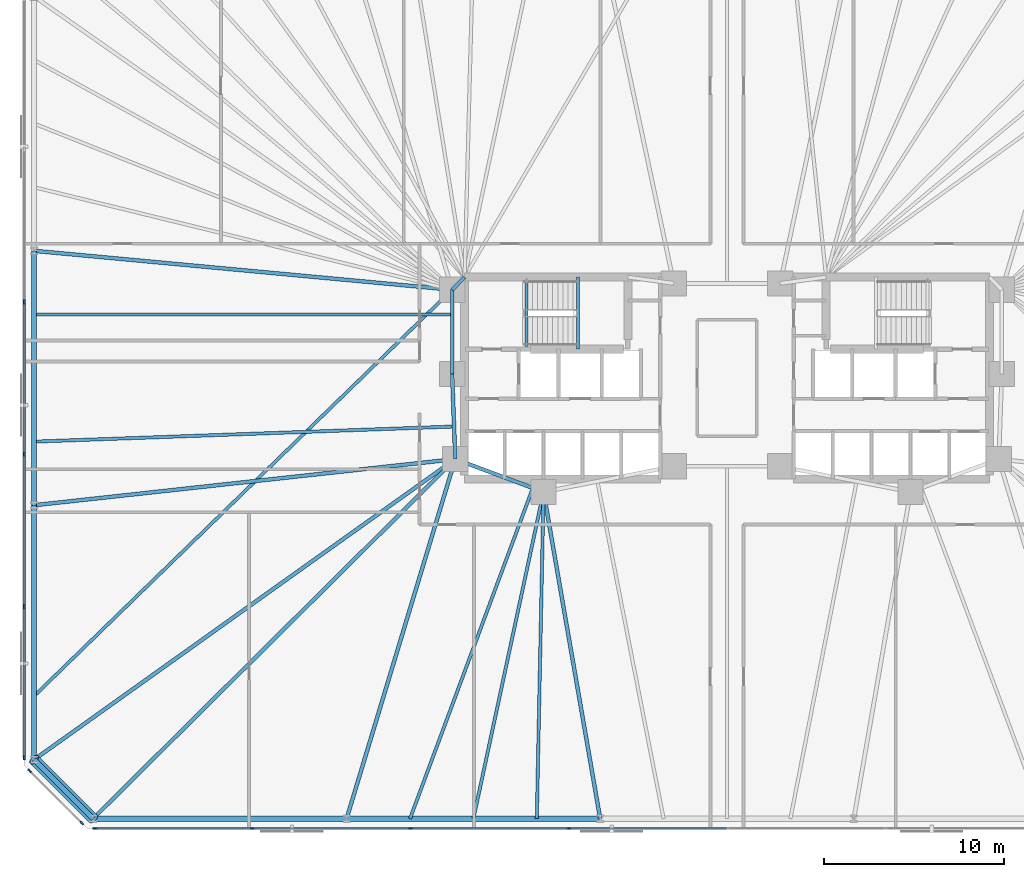
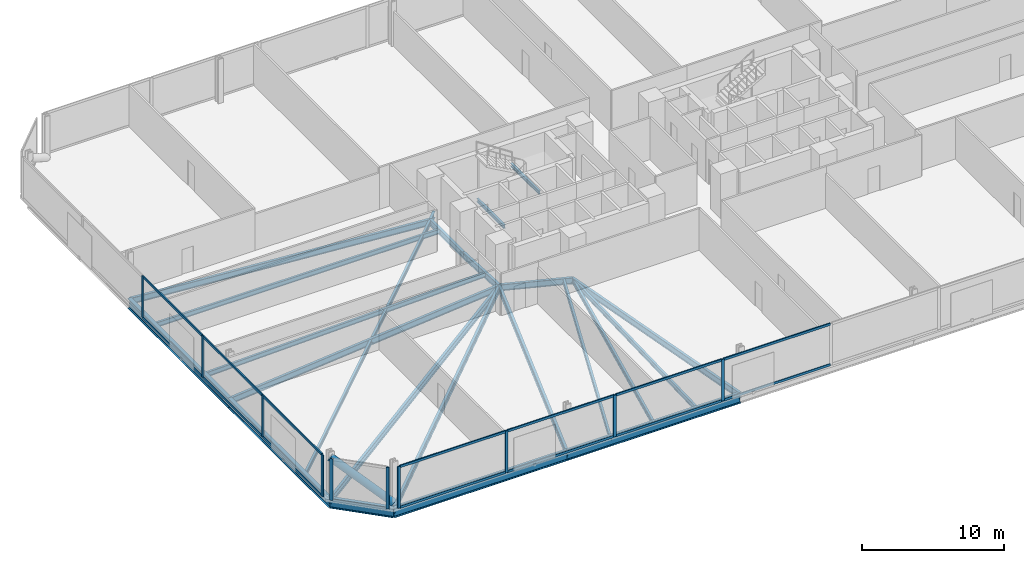
# One storey, part 6 of 17: 25 members, 23 beams, 3 elements without a shape of their own.
"""IFC4 building model written with IfcOpenShell, lengths in metres."""

from ifc_helpers import new_model, si_unit, direction, frame, origin, origin_2d, place, context, subcontext, project, spatial, rectangle, hollow_circle, i_section, extrude, material, material_profile, profile_set, type_object, element, aggregate, save


model = new_model("IFC4")

# Units and contexts
model_context = context("Model", 3, precision=1e-05, world=origin(), true_north=direction((0.0, 1.0)))
body_context = subcontext(model_context, "Body", "Model", "MODEL_VIEW")
ifc_project = project(units=[si_unit("LENGTHUNIT", "METRE"), si_unit("AREAUNIT", "SQUARE_METRE"), si_unit("VOLUMEUNIT", "CUBIC_METRE"), si_unit("PLANEANGLEUNIT", "RADIAN"), si_unit("MASSUNIT", "GRAM", prefix="KILO")], contexts=[model_context])

# Site, building, storey
site_placement = place(None, origin())
site = spatial("IfcSite", under=ifc_project, at=site_placement, CompositionType="ELEMENT")
building_placement = place(site_placement, origin())
building = spatial("IfcBuilding", under=site, at=building_placement, Name="Menara Jurai Vektor", CompositionType="ELEMENT")
storey_placement = place(building_placement, frame((0.0, 0.0, 25.60009765625)))
storey = spatial("IfcBuildingStorey", under=building, at=storey_placement, Name="L05", CompositionType="ELEMENT", Elevation=25.60009765625)

# Curtain wall, members
ifc_material_1 = material(Name="Anodised Pale Aluminium & Low-E Double Glazing", Category="aluminium")
curtain_wall_type = type_object("IfcCurtainWallType", Name="CW-BLK1", PredefinedType="NOTDEFINED", material=ifc_material_1)
curtain_wall_1_placement = place(storey_placement, origin())
curtain_wall_1 = element("IfcCurtainWall", 1, at=curtain_wall_1_placement, inside=storey, type_object=curtain_wall_type, Name="Unitised Curtain Wall L05 F01", PredefinedType="NOTDEFINED")
ifc_material_2 = material(Name="Anodised Pale Aluminium Mullion", Category="aluminium")
ifc_material_profile_1 = material_profile(ifc_material_2, rectangle(XDim=0.094970703125, YDim=0.239990234375, at=origin_2d()), Name="ALU MUL 95x240")
ifc_profile_set_1 = profile_set([ifc_material_profile_1], Name="Anodised Pale Aluminium Mullion")
member_type_1 = type_object("IfcMemberType", Name="CW-BLK1-MUL", PredefinedType="MULLION", material=ifc_profile_set_1)
member_1_placement = place(storey_placement, frame((-35.072509765625, -25.0, 0.0), z_axis=(0.0, 0.0, 1.0), x_axis=(0.0, 1.0, 0.0)))
member_1 = element("IfcMember", 2, at=member_1_placement, type_object=member_type_1, Name="CW-01 mullion 1", PredefinedType="MULLION", context=body_context, shape_type="SweptSolid", body=[
    extrude(rectangle(XDim=0.094970703125, YDim=0.239990234375, at=origin_2d()), origin(), (0.0, 0.0, 1.0), 3.574951171875),
])
member_2_placement = place(storey_placement, frame((-26.340087890625, -25.0, 0.0), z_axis=(0.0, 0.0, 1.0), x_axis=(0.0, 1.0, 0.0)))
member_2 = element("IfcMember", 3, at=member_2_placement, type_object=member_type_1, Name="CW-01 mullion 2", PredefinedType="MULLION", context=body_context, shape_type="SweptSolid", body=[
    extrude(rectangle(XDim=0.094970703125, YDim=0.239990234375, at=origin_2d()), origin(), (0.0, 0.0, 1.0), 3.574951171875),
])
member_3_placement = place(storey_placement, frame((-17.56005859375, -25.0, 0.0), z_axis=(0.0, 0.0, 1.0), x_axis=(0.0, 1.0, 0.0)))
member_3 = element("IfcMember", 4, at=member_3_placement, type_object=member_type_1, Name="CW-01 mullion 3", PredefinedType="MULLION", context=body_context, shape_type="SweptSolid", body=[
    extrude(rectangle(XDim=0.094970703125, YDim=0.239990234375, at=origin_2d()), origin(), (0.0, 0.0, 1.0), 3.574951171875),
])
member_4_placement = place(storey_placement, frame((-8.780029296875, -25.0, 0.0), z_axis=(0.0, 0.0, 1.0), x_axis=(0.0, 1.0, 0.0)))
member_4 = element("IfcMember", 5, at=member_4_placement, type_object=member_type_1, Name="CW-01 mullion 4", PredefinedType="MULLION", context=body_context, shape_type="SweptSolid", body=[
    extrude(rectangle(XDim=0.094970703125, YDim=0.239990234375, at=origin_2d()), origin(), (0.0, 0.0, 1.0), 3.574951171875),
])

curtain_wall_2_placement = place(storey_placement, origin())
curtain_wall_2 = element("IfcCurtainWall", 6, at=curtain_wall_2_placement, inside=storey, type_object=curtain_wall_type, Name="Unitised Curtain Wall L05 F07", PredefinedType="NOTDEFINED")
member_5_placement = place(storey_placement, frame((-39.0, 4.22412109375, 0.0), z_axis=(0.0, 0.0, 1.0), x_axis=(1.0, 0.0, 0.0)))
member_5 = element("IfcMember", 7, at=member_5_placement, type_object=member_type_1, Name="CW-01 mullion 3", PredefinedType="MULLION", context=body_context, shape_type="SweptSolid", body=[
    extrude(rectangle(XDim=0.094970703125, YDim=0.239990234375, at=origin_2d()), origin(), (0.0, 0.0, 1.0), 3.574951171875),
])
member_6_placement = place(storey_placement, frame((-39.0, -4.22412109375, 0.0), z_axis=(0.0, 0.0, 1.0), x_axis=(1.0, 0.0, 0.0)))
member_6 = element("IfcMember", 8, at=member_6_placement, type_object=member_type_1, Name="CW-01 mullion 4", PredefinedType="MULLION", context=body_context, shape_type="SweptSolid", body=[
    extrude(rectangle(XDim=0.094970703125, YDim=0.239990234375, at=origin_2d()), origin(), (0.0, 0.0, 1.0), 3.574951171875),
])
member_7_placement = place(storey_placement, frame((-39.0, -12.672119140625, 0.0), z_axis=(0.0, 0.0, 1.0), x_axis=(1.0, 0.0, 0.0)))
member_7 = element("IfcMember", 9, at=member_7_placement, type_object=member_type_1, Name="CW-01 mullion 5", PredefinedType="MULLION", context=body_context, shape_type="SweptSolid", body=[
    extrude(rectangle(XDim=0.094970703125, YDim=0.239990234375, at=origin_2d()), origin(), (0.0, 0.0, 1.0), 3.574951171875),
])
member_8_placement = place(storey_placement, frame((-39.0, -21.072509765625, 0.0), z_axis=(0.0, 0.0, 1.0), x_axis=(1.0, 0.0, 0.0)))
member_8 = element("IfcMember", 10, at=member_8_placement, type_object=member_type_1, Name="CW-01 mullion 6", PredefinedType="MULLION", context=body_context, shape_type="SweptSolid", body=[
    extrude(rectangle(XDim=0.094970703125, YDim=0.239990234375, at=origin_2d()), origin(), (0.0, 0.0, 1.0), 3.574951171875),
])

curtain_wall_3_placement = place(storey_placement, origin())
curtain_wall_3 = element("IfcCurtainWall", 11, at=curtain_wall_3_placement, inside=storey, type_object=curtain_wall_type, Name="Unitised Curtain Wall L05 F08", PredefinedType="NOTDEFINED")
member_9_placement = place(storey_placement, frame((-38.69775390625, -21.80224609375, 0.0), z_axis=(0.0, 0.0, 1.0), x_axis=(0.707106781187, 0.707106781187, 0.0)))
member_9 = element("IfcMember", 12, at=member_9_placement, type_object=member_type_1, Name="CW-01 mullion 1", PredefinedType="MULLION", context=body_context, shape_type="SweptSolid", body=[
    extrude(rectangle(XDim=0.094970703125, YDim=0.239990234375, at=origin_2d()), origin(), (0.0, 0.0, 1.0), 3.574951171875),
])
member_10_placement = place(storey_placement, frame((-35.80224609375, -24.69775390625, 0.0), z_axis=(0.0, 0.0, 1.0), x_axis=(0.707106781187, 0.707106781187, 0.0)))
member_10 = element("IfcMember", 13, at=member_10_placement, type_object=member_type_1, Name="CW-01 mullion 2", PredefinedType="MULLION", context=body_context, shape_type="SweptSolid", body=[
    extrude(rectangle(XDim=0.094970703125, YDim=0.239990234375, at=origin_2d()), origin(), (0.0, 0.0, 1.0), 3.574951171875),
])
aggregate(curtain_wall_3, [member_9, member_10])

# Member
ifc_material_3 = material(Name="Anodised Pale Aluminium Transom", Category="aluminium")
ifc_material_profile_2 = material_profile(ifc_material_3, rectangle(XDim=0.094970703125, YDim=0.199951171875, at=origin_2d()), Name="ALU TRN 95x200")
ifc_profile_set_2 = profile_set([ifc_material_profile_2], Name="Anodised Pale Aluminium Transom")
member_type_2 = type_object("IfcMemberType", Name="CW-BLK1-TRN", PredefinedType="USERDEFINED", material=ifc_profile_set_2)
member_11_placement = place(storey_placement, frame((-35.02490234375, -25.0, 0.04736328125), z_axis=(1.0, 0.0, 0.0), x_axis=(0.0, 1.0, 0.0)))
member_11 = element("IfcMember", 14, at=member_11_placement, type_object=member_type_2, Name="CW-01 transom 1.1", ObjectType="TRANSOM", PredefinedType="USERDEFINED", context=body_context, shape_type="SweptSolid", body=[
    extrude(rectangle(XDim=0.094970703125, YDim=0.199951171875, at=origin_2d()), origin(), (0.0, 0.0, 1.0), 8.637451171875),
])

member_12_placement = place(storey_placement, frame((-35.02490234375, -25.0, 3.52734375), z_axis=(1.0, 0.0, 0.0), x_axis=(0.0, 1.0, 0.0)))
member_12 = element("IfcMember", 15, at=member_12_placement, type_object=member_type_2, Name="CW-01 transom 1.2", ObjectType="TRANSOM", PredefinedType="USERDEFINED", context=body_context, shape_type="SweptSolid", body=[
    extrude(rectangle(XDim=0.094970703125, YDim=0.199951171875, at=origin_2d()), origin(), (0.0, 0.0, 1.0), 8.637451171875),
])

member_13_placement = place(storey_placement, frame((-26.29248046875, -25.0, 0.04736328125), z_axis=(1.0, 0.0, 0.0), x_axis=(0.0, 1.0, 0.0)))
member_13 = element("IfcMember", 16, at=member_13_placement, type_object=member_type_2, Name="CW-01 transom 2.1", ObjectType="TRANSOM", PredefinedType="USERDEFINED", context=body_context, shape_type="SweptSolid", body=[
    extrude(rectangle(XDim=0.094970703125, YDim=0.199951171875, at=origin_2d()), origin(), (0.0, 0.0, 1.0), 8.68505859375),
])

member_14_placement = place(storey_placement, frame((-26.29248046875, -25.0, 3.52734375), z_axis=(1.0, 0.0, 0.0), x_axis=(0.0, 1.0, 0.0)))
member_14 = element("IfcMember", 17, at=member_14_placement, type_object=member_type_2, Name="CW-01 transom 2.2", ObjectType="TRANSOM", PredefinedType="USERDEFINED", context=body_context, shape_type="SweptSolid", body=[
    extrude(rectangle(XDim=0.094970703125, YDim=0.199951171875, at=origin_2d()), origin(), (0.0, 0.0, 1.0), 8.68505859375),
])

member_15_placement = place(storey_placement, frame((-17.512451171875, -25.0, 0.04736328125), z_axis=(1.0, 0.0, 0.0), x_axis=(0.0, 1.0, 0.0)))
member_15 = element("IfcMember", 18, at=member_15_placement, type_object=member_type_2, Name="CW-01 transom 3.1", ObjectType="TRANSOM", PredefinedType="USERDEFINED", context=body_context, shape_type="SweptSolid", body=[
    extrude(rectangle(XDim=0.094970703125, YDim=0.199951171875, at=origin_2d()), origin(), (0.0, 0.0, 1.0), 8.68505859375),
])

member_16_placement = place(storey_placement, frame((-17.512451171875, -25.0, 3.52734375), z_axis=(1.0, 0.0, 0.0), x_axis=(0.0, 1.0, 0.0)))
member_16 = element("IfcMember", 19, at=member_16_placement, type_object=member_type_2, Name="CW-01 transom 3.2", ObjectType="TRANSOM", PredefinedType="USERDEFINED", context=body_context, shape_type="SweptSolid", body=[
    extrude(rectangle(XDim=0.094970703125, YDim=0.199951171875, at=origin_2d()), origin(), (0.0, 0.0, 1.0), 8.68505859375),
])

member_17_placement = place(storey_placement, frame((-8.732421875, -25.0, 0.04736328125), z_axis=(1.0, 0.0, 0.0), x_axis=(0.0, 1.0, 0.0)))
member_17 = element("IfcMember", 20, at=member_17_placement, type_object=member_type_2, Name="CW-01 transom 4.1", ObjectType="TRANSOM", PredefinedType="USERDEFINED", context=body_context, shape_type="SweptSolid", body=[
    extrude(rectangle(XDim=0.094970703125, YDim=0.199951171875, at=origin_2d()), origin(), (0.0, 0.0, 1.0), 8.684814453125),
])

member_18_placement = place(storey_placement, frame((-8.732421875, -25.0, 3.52734375), z_axis=(1.0, 0.0, 0.0), x_axis=(0.0, 1.0, 0.0)))
member_18 = element("IfcMember", 21, at=member_18_placement, type_object=member_type_2, Name="CW-01 transom 4.2", ObjectType="TRANSOM", PredefinedType="USERDEFINED", context=body_context, shape_type="SweptSolid", body=[
    extrude(rectangle(XDim=0.094970703125, YDim=0.199951171875, at=origin_2d()), origin(), (0.0, 0.0, 1.0), 8.684814453125),
])

aggregate(curtain_wall_1, [member_1, member_2, member_3, member_4, member_11, member_12, member_13, member_14, member_15, member_16, member_17, member_18])

member_19_placement = place(storey_placement, frame((-39.0, 4.176513671875, 0.04736328125), z_axis=(0.0, -1.0, 0.0), x_axis=(1.0, 0.0, 0.0)))
member_19 = element("IfcMember", 22, at=member_19_placement, type_object=member_type_2, Name="CW-01 transom 3.1", ObjectType="TRANSOM", PredefinedType="USERDEFINED", context=body_context, shape_type="SweptSolid", body=[
    extrude(rectangle(XDim=0.094970703125, YDim=0.199951171875, at=origin_2d()), origin(), (0.0, 0.0, 1.0), 8.35302734375),
])

member_20_placement = place(storey_placement, frame((-39.0, 4.176513671875, 3.52734375), z_axis=(0.0, -1.0, 0.0), x_axis=(1.0, 0.0, 0.0)))
member_20 = element("IfcMember", 23, at=member_20_placement, type_object=member_type_2, Name="CW-01 transom 3.2", ObjectType="TRANSOM", PredefinedType="USERDEFINED", context=body_context, shape_type="SweptSolid", body=[
    extrude(rectangle(XDim=0.094970703125, YDim=0.199951171875, at=origin_2d()), origin(), (0.0, 0.0, 1.0), 8.35302734375),
])

member_21_placement = place(storey_placement, frame((-39.0, -4.271484375, 0.04736328125), z_axis=(0.0, -1.0, 0.0), x_axis=(1.0, 0.0, 0.0)))
member_21 = element("IfcMember", 24, at=member_21_placement, type_object=member_type_2, Name="CW-01 transom 4.1", ObjectType="TRANSOM", PredefinedType="USERDEFINED", context=body_context, shape_type="SweptSolid", body=[
    extrude(rectangle(XDim=0.094970703125, YDim=0.199951171875, at=origin_2d()), origin(), (0.0, 0.0, 1.0), 8.35302734375),
])

member_22_placement = place(storey_placement, frame((-39.0, -4.271484375, 3.52734375), z_axis=(0.0, -1.0, 0.0), x_axis=(1.0, 0.0, 0.0)))
member_22 = element("IfcMember", 25, at=member_22_placement, type_object=member_type_2, Name="CW-01 transom 4.2", ObjectType="TRANSOM", PredefinedType="USERDEFINED", context=body_context, shape_type="SweptSolid", body=[
    extrude(rectangle(XDim=0.094970703125, YDim=0.199951171875, at=origin_2d()), origin(), (0.0, 0.0, 1.0), 8.35302734375),
])

member_23_placement = place(storey_placement, frame((-39.0, -12.719482421875, 0.04736328125), z_axis=(0.0, -1.0, 0.0), x_axis=(1.0, 0.0, 0.0)))
member_23 = element("IfcMember", 26, at=member_23_placement, type_object=member_type_2, Name="CW-01 transom 5.1", ObjectType="TRANSOM", PredefinedType="USERDEFINED", context=body_context, shape_type="SweptSolid", body=[
    extrude(rectangle(XDim=0.094970703125, YDim=0.199951171875, at=origin_2d()), origin(), (0.0, 0.0, 1.0), 8.305419921875),
])

member_24_placement = place(storey_placement, frame((-39.0, -12.719482421875, 3.52734375), z_axis=(0.0, -1.0, 0.0), x_axis=(1.0, 0.0, 0.0)))
member_24 = element("IfcMember", 27, at=member_24_placement, type_object=member_type_2, Name="CW-01 transom 5.2", ObjectType="TRANSOM", PredefinedType="USERDEFINED", context=body_context, shape_type="SweptSolid", body=[
    extrude(rectangle(XDim=0.094970703125, YDim=0.199951171875, at=origin_2d()), origin(), (0.0, 0.0, 1.0), 8.305419921875),
])

aggregate(curtain_wall_2, [member_5, member_6, member_7, member_8, member_19, member_20, member_21, member_22, member_23, member_24])

# Beams
ifc_material_4 = material(Name="Steel S355", Category="steel")
ifc_material_profile_3 = material_profile(ifc_material_4, i_section(OverallWidth=0.2109375, OverallDepth=0.5390625, WebThickness=0.011962890625, FlangeThickness=0.01904296875, FilletRadius=0.012939453125, at=origin_2d()), Name="UKB 533x210x109")
ifc_profile_set_3 = profile_set([ifc_material_profile_3], Name="Steel S355")
beam_type_1 = type_object("IfcBeamType", Name="STR-BM-533", PredefinedType="BEAM", material=ifc_profile_set_3)
beam_1_placement = place(storey_placement, frame((-15.25, 4.89990234375, -0.49462890625), z_axis=(0.701871936926, 0.712303154672, 0.0), x_axis=(-0.712303154672, 0.701871936926, 0.0)))
element("IfcBeam", 28, at=beam_1_placement, inside=storey, type_object=beam_type_1, Name="Core Ring Header Girder L05-CHW-N1", PredefinedType="BEAM", context=body_context, shape_type="SweptSolid", body=[
    extrude(i_section(OverallWidth=0.2109375, OverallDepth=0.5390625, WebThickness=0.011962890625, FlangeThickness=0.01904296875, FilletRadius=0.012939453125, at=origin_2d()), origin(), (0.0, 0.0, 1.0), 0.98291015625),
])
beam_2_placement = place(storey_placement, frame((-15.25, 0.219970703125, -0.49462890625), z_axis=(0.0, 1.0, 0.0), x_axis=(-1.0, 0.0, 0.0)))
element("IfcBeam", 29, at=beam_2_placement, inside=storey, type_object=beam_type_1, Name="Core Ring Header Girder L05-CHW-W1", PredefinedType="BEAM", context=body_context, shape_type="SweptSolid", body=[
    extrude(i_section(OverallWidth=0.2109375, OverallDepth=0.5390625, WebThickness=0.011962890625, FlangeThickness=0.01904296875, FilletRadius=0.012939453125, at=origin_2d()), origin(), (0.0, 0.0, 1.0), 4.679931640625),
])
beam_3_placement = place(storey_placement, frame((-15.080078125, -4.5, -0.49462890625), z_axis=(-0.035977314146, 0.999352606874, 0.0), x_axis=(-0.999352606874, -0.035977314146, 0.0)))
element("IfcBeam", 30, at=beam_3_placement, inside=storey, type_object=beam_type_1, Name="Core Ring Header Girder L05-CHW-W2", PredefinedType="BEAM", context=body_context, shape_type="SweptSolid", body=[
    extrude(i_section(OverallWidth=0.2109375, OverallDepth=0.5390625, WebThickness=0.011962890625, FlangeThickness=0.01904296875, FilletRadius=0.012939453125, at=origin_2d()), origin(), (0.0, 0.0, 1.0), 4.72314453125),
])
beam_4_placement = place(storey_placement, frame((-15.080078125, -4.5, -0.49462890625), z_axis=(0.937424400887, -0.348188874925, 0.0), x_axis=(0.348188874925, 0.937424400887, 0.0)))
element("IfcBeam", 31, at=beam_4_placement, inside=storey, type_object=beam_type_1, Name="Core Ring Header Girder L05-CHW-S1", PredefinedType="BEAM", context=body_context, shape_type="SweptSolid", body=[
    extrude(i_section(OverallWidth=0.2109375, OverallDepth=0.5390625, WebThickness=0.011962890625, FlangeThickness=0.01904296875, FilletRadius=0.012939453125, at=origin_2d()), origin(), (0.0, 0.0, 1.0), 5.227294921875),
])
beam_5_placement = place(storey_placement, frame((-35.177734375, -24.449951171875, -0.49462890625), z_axis=(0.709709931659, 0.704494011972, 0.0), x_axis=(-0.704494011972, 0.709709931659, 0.0)))
element("IfcBeam", 32, at=beam_5_placement, inside=storey, type_object=beam_type_1, Name="Radial Floor Girder L05-S1", PredefinedType="BEAM", context=body_context, shape_type="SweptSolid", body=[
    extrude(i_section(OverallWidth=0.2109375, OverallDepth=0.5390625, WebThickness=0.011962890625, FlangeThickness=0.01904296875, FilletRadius=0.012939453125, at=origin_2d()), origin(), (0.0, 0.0, 1.0), 28.318115234375),
])
beam_6_placement = place(storey_placement, frame((-21.106689453125, -24.449951171875, -0.49462890625), z_axis=(0.289179812203, 0.957274796604, 0.0), x_axis=(-0.957274796604, 0.289179812203, 0.0)))
element("IfcBeam", 33, at=beam_6_placement, inside=storey, type_object=beam_type_1, Name="Radial Floor Girder L05-S2", PredefinedType="BEAM", context=body_context, shape_type="SweptSolid", body=[
    extrude(i_section(OverallWidth=0.2109375, OverallDepth=0.5390625, WebThickness=0.011962890625, FlangeThickness=0.01904296875, FilletRadius=0.012939453125, at=origin_2d()), origin(), (0.0, 0.0, 1.0), 20.84033203125),
])
beam_7_placement = place(storey_placement, frame((-7.03564453125, -24.449951171875, -0.49462890625), z_axis=(-0.170880325642, 0.985291791455, 0.0), x_axis=(-0.985291791455, -0.170880325642, 0.0)))
element("IfcBeam", 34, at=beam_7_placement, inside=storey, type_object=beam_type_1, Name="Radial Floor Girder L05-S3", PredefinedType="BEAM", context=body_context, shape_type="SweptSolid", body=[
    extrude(i_section(OverallWidth=0.2109375, OverallDepth=0.5390625, WebThickness=0.011962890625, FlangeThickness=0.01904296875, FilletRadius=0.012939453125, at=origin_2d()), origin(), (0.0, 0.0, 1.0), 18.400634765625),
])
beam_8_placement = place(storey_placement, frame((-38.449951171875, 7.059326171875, -0.49462890625), z_axis=(0.995696113112, -0.092678208514, 0.0), x_axis=(0.092678208514, 0.995696113112, 0.0)))
element("IfcBeam", 35, at=beam_8_placement, inside=storey, type_object=beam_type_1, Name="Radial Floor Girder L05-W2", PredefinedType="BEAM", context=body_context, shape_type="SweptSolid", body=[
    extrude(i_section(OverallWidth=0.2109375, OverallDepth=0.5390625, WebThickness=0.011962890625, FlangeThickness=0.01904296875, FilletRadius=0.012939453125, at=origin_2d()), origin(), (0.0, 0.0, 1.0), 23.30029296875),
])
beam_9_placement = place(storey_placement, frame((-38.449951171875, -7.059326171875, -0.49462890625), z_axis=(0.994056757953, 0.108863042253, 0.0), x_axis=(-0.108863042253, 0.994056757953, 0.0)))
element("IfcBeam", 36, at=beam_9_placement, inside=storey, type_object=beam_type_1, Name="Radial Floor Girder L05-W3", PredefinedType="BEAM", context=body_context, shape_type="SweptSolid", body=[
    extrude(i_section(OverallWidth=0.2109375, OverallDepth=0.5390625, WebThickness=0.011962890625, FlangeThickness=0.01904296875, FilletRadius=0.012939453125, at=origin_2d()), origin(), (0.0, 0.0, 1.0), 23.509521484375),
])
beam_10_placement = place(storey_placement, frame((-38.449951171875, -21.177734375, -0.49462890625), z_axis=(0.813981033216, 0.580891450759, 0.0), x_axis=(-0.580891450759, 0.813981033216, 0.0)))
element("IfcBeam", 37, at=beam_10_placement, inside=storey, type_object=beam_type_1, Name="Radial Floor Girder L05-W4", PredefinedType="BEAM", context=body_context, shape_type="SweptSolid", body=[
    extrude(i_section(OverallWidth=0.2109375, OverallDepth=0.5390625, WebThickness=0.011962890625, FlangeThickness=0.01904296875, FilletRadius=0.012939453125, at=origin_2d()), origin(), (0.0, 0.0, 1.0), 28.710693359375),
])

# Member
ifc_material_5 = material(Name="Steel S460", Category="steel")
ifc_material_profile_4 = material_profile(ifc_material_5, hollow_circle(Radius=0.304931640625, WallThickness=0.02490234375, at=origin_2d()), Name="CHS 610x25")
ifc_profile_set_4 = profile_set([ifc_material_profile_4], Name="Steel S460")
member_type_3 = type_object("IfcMemberType", Name="STR-BR-610", PredefinedType="BRACE", material=ifc_profile_set_4)
member_25_placement = place(storey_placement, frame((-35.177734375, -24.449951171875, 0.14990234375), z_axis=(-0.588942422958, 0.588942422958, 0.553438022619), x_axis=(-0.707106781187, -0.707106781187, 0.0)))
element("IfcMember", 38, at=member_25_placement, inside=storey, type_object=member_type_3, Name="Exoskeleton Corner Brace L05-4", PredefinedType="BRACE", context=body_context, shape_type="SweptSolid", body=[
    extrude(hollow_circle(Radius=0.304931640625, WallThickness=0.02490234375, at=origin_2d()), origin(), (0.0, 0.0, 1.0), 5.55615234375),
])

# Beams
ifc_material_profile_5 = material_profile(ifc_material_4, i_section(OverallWidth=0.178955078125, OverallDepth=0.408935546875, WebThickness=0.009033203125, FlangeThickness=0.013916015625, FilletRadius=0.010009765625, at=origin_2d()), Name="UKB 406x178x67")
ifc_profile_set_5 = profile_set([ifc_material_profile_5], Name="Steel S355")
beam_type_2 = type_object("IfcBeamType", Name="STR-JS-406", PredefinedType="JOIST", material=ifc_profile_set_5)
beam_11_placement = place(storey_placement, frame((-17.5888671875, -24.449951171875, -0.4296875), z_axis=(0.348179014223, 0.937428063403, 0.0), x_axis=(-0.937428063403, 0.348179014223, 0.0)))
element("IfcBeam", 39, at=beam_11_placement, inside=storey, type_object=beam_type_2, Name="Radial Secondary Floor Joist L05-JS01", PredefinedType="JOIST", context=body_context, shape_type="SweptSolid", body=[
    extrude(i_section(OverallWidth=0.178955078125, OverallDepth=0.408935546875, WebThickness=0.009033203125, FlangeThickness=0.013916015625, FilletRadius=0.010009765625, at=origin_2d()), origin(), (0.0, 0.0, 1.0), 19.5751953125),
])
beam_12_placement = place(storey_placement, frame((-14.071044921875, -24.449951171875, -0.4296875), z_axis=(0.209845584412, 0.977734539997, 0.0), x_axis=(-0.977734539997, 0.209845584412, 0.0)))
element("IfcBeam", 40, at=beam_12_placement, inside=storey, type_object=beam_type_2, Name="Radial Secondary Floor Joist L05-JS02", PredefinedType="JOIST", context=body_context, shape_type="SweptSolid", body=[
    extrude(i_section(OverallWidth=0.178955078125, OverallDepth=0.408935546875, WebThickness=0.009033203125, FlangeThickness=0.013916015625, FilletRadius=0.010009765625, at=origin_2d()), origin(), (0.0, 0.0, 1.0), 18.542724609375),
])
beam_13_placement = place(storey_placement, frame((-10.55322265625, -24.449951171875, -0.4296875), z_axis=(0.020585456509, 0.999788097039, 0.0), x_axis=(-0.999788097039, 0.020585456509, 0.0)))
element("IfcBeam", 41, at=beam_13_placement, inside=storey, type_object=beam_type_2, Name="Radial Secondary Floor Joist L05-JS03", PredefinedType="JOIST", context=body_context, shape_type="SweptSolid", body=[
    extrude(i_section(OverallWidth=0.178955078125, OverallDepth=0.408935546875, WebThickness=0.009033203125, FlangeThickness=0.013916015625, FilletRadius=0.010009765625, at=origin_2d()), origin(), (0.0, 0.0, 1.0), 18.1337890625),
])
beam_14_placement = place(storey_placement, frame((-38.449951171875, 3.529541015625, -0.4296875), z_axis=(1.0, 0.0, 0.0), x_axis=(0.0, 1.0, 0.0)))
element("IfcBeam", 42, at=beam_14_placement, inside=storey, type_object=beam_type_2, Name="Radial Secondary Floor Joist L05-JS35", PredefinedType="JOIST", context=body_context, shape_type="SweptSolid", body=[
    extrude(i_section(OverallWidth=0.178955078125, OverallDepth=0.408935546875, WebThickness=0.009033203125, FlangeThickness=0.013916015625, FilletRadius=0.010009765625, at=origin_2d()), origin(), (0.0, 0.0, 1.0), 23.199951171875),
])
beam_15_placement = place(storey_placement, frame((-38.449951171875, -3.529541015625, -0.4296875), z_axis=(0.999352032814, 0.035993256462, 0.0), x_axis=(-0.035993256462, 0.999352032814, 0.0)))
element("IfcBeam", 43, at=beam_15_placement, inside=storey, type_object=beam_type_2, Name="Radial Secondary Floor Joist L05-JS36", PredefinedType="JOIST", context=body_context, shape_type="SweptSolid", body=[
    extrude(i_section(OverallWidth=0.178955078125, OverallDepth=0.408935546875, WebThickness=0.009033203125, FlangeThickness=0.013916015625, FilletRadius=0.010009765625, at=origin_2d()), origin(), (0.0, 0.0, 1.0), 23.31982421875),
])
beam_16_placement = place(storey_placement, frame((-38.449951171875, -17.648193359375, -0.4296875), z_axis=(0.71710942187, 0.696960599363, 0.0), x_axis=(-0.696960599363, 0.71710942187, 0.0)))
element("IfcBeam", 44, at=beam_16_placement, inside=storey, type_object=beam_type_2, Name="Radial Secondary Floor Joist L05-JS37", PredefinedType="JOIST", context=body_context, shape_type="SweptSolid", body=[
    extrude(i_section(OverallWidth=0.178955078125, OverallDepth=0.408935546875, WebThickness=0.009033203125, FlangeThickness=0.013916015625, FilletRadius=0.010009765625, at=origin_2d()), origin(), (0.0, 0.0, 1.0), 32.35205078125),
])
ifc_material_profile_6 = material_profile(ifc_material_4, i_section(OverallWidth=0.1650390625, OverallDepth=0.302978515625, WebThickness=0.006103515625, FlangeThickness=0.010009765625, FilletRadius=0.009033203125, at=origin_2d()), Name="UKB 305x165x40")
ifc_profile_set_6 = profile_set([ifc_material_profile_6], Name="Steel S355")
beam_type_3 = type_object("IfcBeamType", Name="STR-LN-305", PredefinedType="LINTEL", material=ifc_profile_set_6)
beam_17_placement = place(storey_placement, frame((-11.1201171875, 1.60009765625, -0.376708984375), z_axis=(0.0, 1.0, 0.0), x_axis=(-1.0, 0.0, 0.0)))
element("IfcBeam", 45, at=beam_17_placement, inside=storey, type_object=beam_type_3, Name="Stair Well Floor Trimmer ST1 L05", PredefinedType="LINTEL", context=body_context, shape_type="SweptSolid", body=[
    extrude(i_section(OverallWidth=0.1650390625, OverallDepth=0.302978515625, WebThickness=0.006103515625, FlangeThickness=0.010009765625, FilletRadius=0.009033203125, at=origin_2d()), origin(), (0.0, 0.0, 1.0), 3.81982421875),
])
beam_18_placement = place(storey_placement, frame((-8.27001953125, 1.60009765625, 1.54833984375), z_axis=(0.0, 1.0, 0.0), x_axis=(-1.0, 0.0, 0.0)))
element("IfcBeam", 46, at=beam_18_placement, inside=storey, type_object=beam_type_3, Name="Stair Half-Landing Nosing Trimmer ST1-1 L05", PredefinedType="LINTEL", context=body_context, shape_type="SweptSolid", body=[
    extrude(i_section(OverallWidth=0.1650390625, OverallDepth=0.302978515625, WebThickness=0.006103515625, FlangeThickness=0.010009765625, FilletRadius=0.009033203125, at=origin_2d()), origin(), (0.0, 0.0, 1.0), 4.0),
])
ifc_material_profile_7 = material_profile(ifc_material_5, i_section(OverallWidth=0.2939453125, OverallDepth=0.85107421875, WebThickness=0.01611328125, FlangeThickness=0.027099609375, FilletRadius=0.01806640625, at=origin_2d()), Name="UKB 838x292x226")
ifc_profile_set_7 = profile_set([ifc_material_profile_7], Name="Steel S460")
beam_type_4 = type_object("IfcBeamType", Name="STR-SP-838", PredefinedType="SPANDREL", material=ifc_profile_set_7)
for number, where, z_axis, x_axis, name in (
    (47, (-35.177734375, -24.449951171875, -0.650634765625), (1.0, 0.0, 0.0), (0.0, 1.0, 0.0), "Exoskeleton Spandrel Beam L05-01"),
    (48, (-21.106689453125, -24.449951171875, -0.650634765625), (1.0, 0.0, 0.0), (0.0, 1.0, 0.0), "Exoskeleton Spandrel Beam L05-02"),
):
    element("IfcBeam", number, at=place(storey_placement, frame(where, z_axis=z_axis, x_axis=x_axis)), inside=storey, type_object=beam_type_4, Name=name, PredefinedType="SPANDREL", context=body_context, shape_type="SweptSolid", body=[
        extrude(i_section(OverallWidth=0.2939453125, OverallDepth=0.85107421875, WebThickness=0.01611328125, FlangeThickness=0.027099609375, FilletRadius=0.01806640625, at=origin_2d()), origin(), (0.0, 0.0, 1.0), 14.071044921875),
    ])
beam_19_placement = place(storey_placement, frame((-38.449951171875, 7.059326171875, -0.650634765625), z_axis=(0.0, -1.0, 0.0), x_axis=(1.0, 0.0, 0.0)))
element("IfcBeam", 49, at=beam_19_placement, inside=storey, type_object=beam_type_4, Name="Exoskeleton Spandrel Beam L05-18", PredefinedType="SPANDREL", context=body_context, shape_type="SweptSolid", body=[
    extrude(i_section(OverallWidth=0.2939453125, OverallDepth=0.85107421875, WebThickness=0.01611328125, FlangeThickness=0.027099609375, FilletRadius=0.01806640625, at=origin_2d()), origin(), (0.0, 0.0, 1.0), 14.11865234375),
])
beam_20_placement = place(storey_placement, frame((-38.449951171875, -7.059326171875, -0.650634765625), z_axis=(0.0, -1.0, 0.0), x_axis=(1.0, 0.0, 0.0)))
element("IfcBeam", 50, at=beam_20_placement, inside=storey, type_object=beam_type_4, Name="Exoskeleton Spandrel Beam L05-19", PredefinedType="SPANDREL", context=body_context, shape_type="SweptSolid", body=[
    extrude(i_section(OverallWidth=0.2939453125, OverallDepth=0.85107421875, WebThickness=0.01611328125, FlangeThickness=0.027099609375, FilletRadius=0.01806640625, at=origin_2d()), origin(), (0.0, 0.0, 1.0), 14.118408203125),
])
beam_21_placement = place(storey_placement, frame((-38.449951171875, -21.177734375, -0.650634765625), z_axis=(0.707106781187, -0.707106781187, 0.0), x_axis=(0.707106781187, 0.707106781187, 0.0)))
element("IfcBeam", 51, at=beam_21_placement, inside=storey, type_object=beam_type_4, Name="Exoskeleton Spandrel Beam L05-20", PredefinedType="SPANDREL", context=body_context, shape_type="SweptSolid", body=[
    extrude(i_section(OverallWidth=0.2939453125, OverallDepth=0.85107421875, WebThickness=0.01611328125, FlangeThickness=0.027099609375, FilletRadius=0.01806640625, at=origin_2d()), origin(), (0.0, 0.0, 1.0), 4.627685546875),
])

save(model, "model.ifc")
